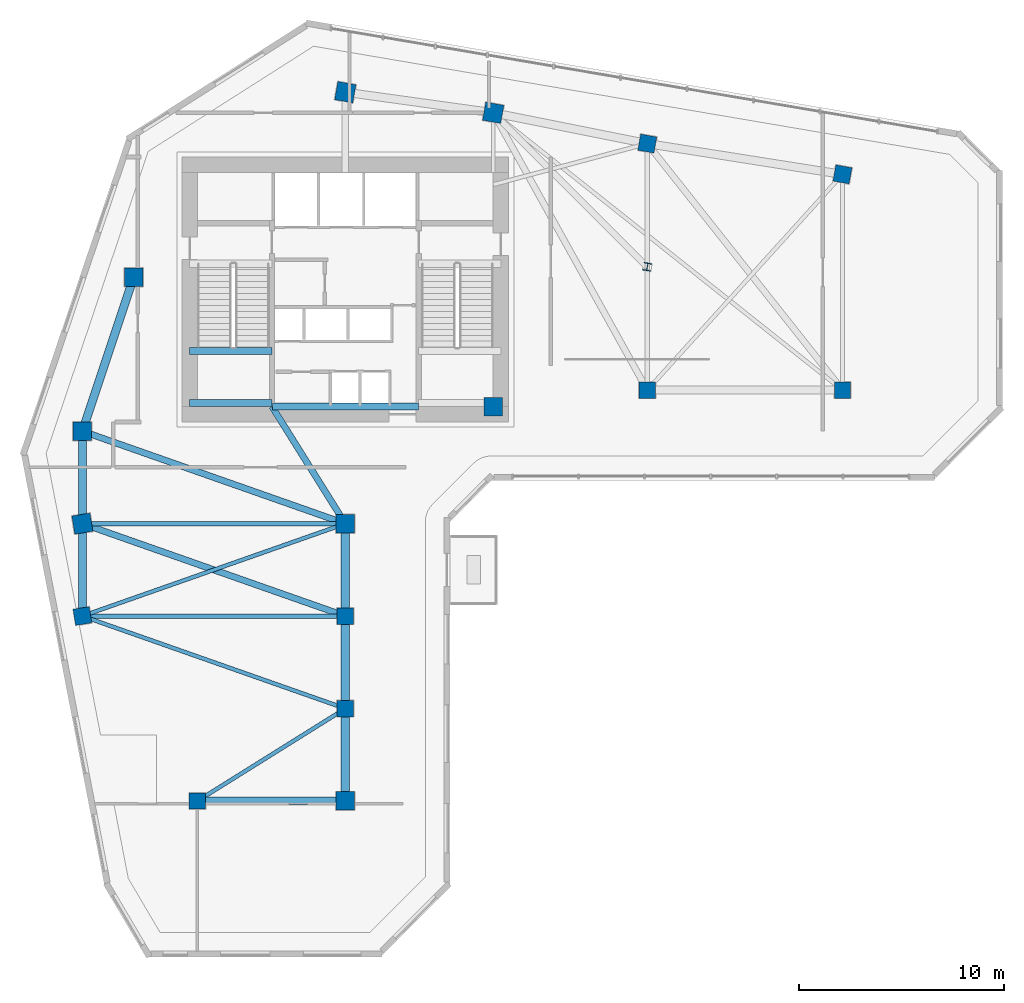
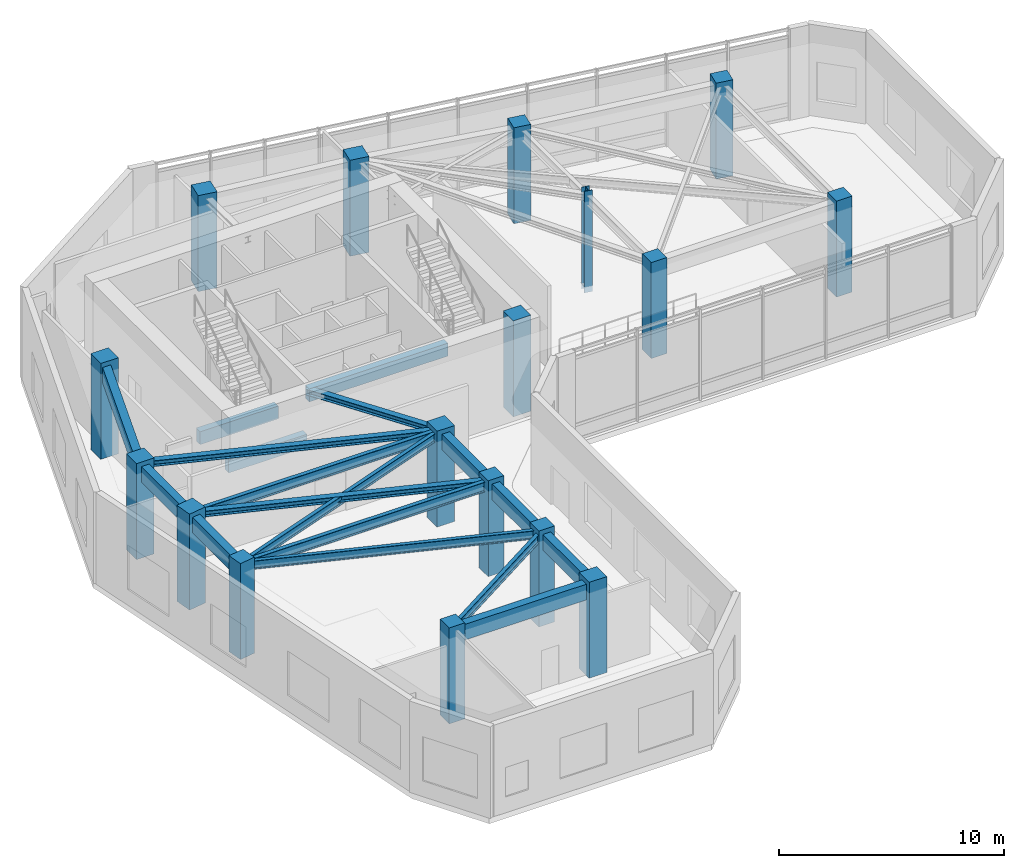
# One storey, part 1 of 9: 18 beams, 17 columns.
"""IFC4 building model written with IfcOpenShell, lengths in metres."""

from ifc_helpers import new_model, si_unit, direction, frame, origin, origin_2d, place, context, subcontext, project, spatial, rectangle, i_section, extrude, source, transform, mapped, material, material_profile, profile_set, type_object, element, save


model = new_model("IFC4")

# Units and contexts
model_context = context("Model", 3, precision=1e-05, world=origin(), true_north=direction((0.0, 1.0)))
body_context = subcontext(model_context, "Body", "Model", "MODEL_VIEW")
ifc_project = project(units=[si_unit("LENGTHUNIT", "METRE"), si_unit("AREAUNIT", "SQUARE_METRE"), si_unit("VOLUMEUNIT", "CUBIC_METRE"), si_unit("PLANEANGLEUNIT", "RADIAN"), si_unit("MASSUNIT", "GRAM", prefix="KILO")], contexts=[model_context])

# Site, building, storey
site_placement = place(None, origin())
site = spatial("IfcSite", under=ifc_project, at=site_placement, CompositionType="ELEMENT")
building_placement = place(site_placement, origin())
building = spatial("IfcBuilding", under=site, at=building_placement, Name="Calvemar Wedge Station Tower", CompositionType="ELEMENT")
storey_placement = place(building_placement, frame((0.0, 0.0, 105.39990234375)))
storey = spatial("IfcBuildingStorey", under=building, at=storey_placement, Name="L25", CompositionType="ELEMENT", Elevation=105.39990234375)

# Columns
ifc_material_1 = material(Name="Concrete C60", Category="concrete")
ifc_material_profile_1 = material_profile(ifc_material_1, rectangle(XDim=0.89990234375, YDim=0.89990234375, at=origin_2d()), Name="RC900x900")
ifc_profile_set_1 = profile_set([ifc_material_profile_1], Name="Concrete C60")
column_type_1 = type_object("IfcColumnType", Name="COL-C5-900", PredefinedType="COLUMN", material=ifc_profile_set_1)
shared_shape_1 = source(origin(), body_context, "Body", "SweptSolid", [
    extrude(rectangle(XDim=0.89990234375, YDim=0.89990234375, at=origin_2d()), origin(), (0.0, 0.0, 1.0), 5.2001953125),
])
for number, where, z_axis, x_axis, name in (
    (1, (11.0, 33.0, 0.0), (0.0, 0.0, 1.0), (1.0, 0.0, 0.0), "Storey L25 Column T-NW1"),
    (2, (13.5, 40.5, 0.0), (0.0, 0.0, 1.0), (1.0, 0.0, 0.0), "Storey L25 Column T-NW2"),
    (3, (23.800048828125, 49.5, 0.0), (0.0, 0.0, 1.0), (0.984195607969, -0.17708474032, 0.0), "Storey L25 Column T-N1"),
    (4, (31.0, 48.5, 0.0), (0.0, 0.0, 1.0), (0.984195607969, -0.17708474032, 0.0), "Storey L25 Column T-N2"),
    (5, (31.0, 34.199951171875, 0.0), (0.0, 0.0, 1.0), (1.0, 0.0, 0.0), "Storey L25 Column T-NL1"),
    (6, (11.0, 28.5, 0.0), (0.0, 0.0, 1.0), (0.158158067254, -0.987413806751, 0.0), "Storey L25 Column T-SW1"),
    (7, (23.800048828125, 28.5, 0.0), (0.0, 0.0, 1.0), (1.0, 0.0, 0.0), "Storey L25 Column T-SE1"),
    (8, (23.800048828125, 15.0, 0.0), (0.0, 0.0, 1.0), (1.0, 0.0, 0.0), "Storey L25 Column T-SE4"),
):
    element("IfcColumn", number, at=place(storey_placement, frame(where, z_axis=z_axis, x_axis=x_axis)), inside=storey, type_object=column_type_1, Name=name, PredefinedType="COLUMN", context=body_context, shape_type="MappedRepresentation", body=[
        mapped(shared_shape_1, transform((0.0, 0.0, 0.0), scale=1.0)),
    ])
ifc_material_2 = material(Name="Concrete C50", Category="concrete")
ifc_material_profile_2 = material_profile(ifc_material_2, rectangle(XDim=0.800048828125, YDim=0.800048828125, at=origin_2d()), Name="RC800x800")
ifc_profile_set_2 = profile_set([ifc_material_profile_2], Name="Concrete C50")
column_type_2 = type_object("IfcColumnType", Name="COL-C6-800", PredefinedType="COLUMN", material=ifc_profile_set_2)
shared_shape_2 = source(origin(), body_context, "Body", "SweptSolid", [
    extrude(rectangle(XDim=0.800048828125, YDim=0.800048828125, at=origin_2d()), origin(), (0.0, 0.0, 1.0), 5.2001953125),
])
for number, where, z_axis, x_axis, name in (
    (9, (38.5, 47.0, 0.0), (0.0, 0.0, 1.0), (0.984195607969, -0.17708474032, 0.0), "Storey L25 Column T-NU3"),
    (10, (48.0, 45.5, 0.0), (0.0, 0.0, 1.0), (0.984195607969, -0.17708474032, 0.0), "Storey L25 Column T-NU4"),
    (11, (38.5, 35.0, 0.0), (0.0, 0.0, 1.0), (1.0, 0.0, 0.0), "Storey L25 Column T-NL2"),
    (12, (48.0, 35.0, 0.0), (0.0, 0.0, 1.0), (1.0, 0.0, 0.0), "Storey L25 Column T-NL3"),
    (13, (11.0, 24.0, 0.0), (0.0, 0.0, 1.0), (0.158158067254, -0.987413806751, 0.0), "Storey L25 Column T-SW2"),
    (14, (23.800048828125, 24.0, 0.0), (0.0, 0.0, 1.0), (1.0, 0.0, 0.0), "Storey L25 Column T-SE2"),
    (15, (23.800048828125, 19.5, 0.0), (0.0, 0.0, 1.0), (1.0, 0.0, 0.0), "Storey L25 Column T-SE3"),
    (16, (16.60009765625, 15.0, 0.0), (0.0, 0.0, 1.0), (1.0, 0.0, 0.0), "Storey L25 Column T-SM1"),
):
    element("IfcColumn", number, at=place(storey_placement, frame(where, z_axis=z_axis, x_axis=x_axis)), inside=storey, type_object=column_type_2, Name=name, PredefinedType="COLUMN", context=body_context, shape_type="MappedRepresentation", body=[
        mapped(shared_shape_2, transform((0.0, 0.0, 0.0), scale=1.0)),
    ])
ifc_material_3 = material(Name="Structural steel ASTM A572 Grade 50", Category="steel")
ifc_material_profile_3 = material_profile(ifc_material_3, i_section(OverallWidth=0.3740234375, OverallDepth=0.3720703125, WebThickness=0.016357421875, FlangeThickness=0.026123046875, FilletRadius=0.014892578125, at=origin_2d()), Name="W360x196")
ifc_profile_set_3 = profile_set([ifc_material_profile_3], Name="Structural steel ASTM A572 Grade 50")
column_type_3 = type_object("IfcColumnType", Name="COL-STL-W360", PredefinedType="COLUMN", material=ifc_profile_set_3)
shared_shape_3 = source(origin(), body_context, "Body", "SweptSolid", [
    extrude(i_section(OverallWidth=0.3740234375, OverallDepth=0.3720703125, WebThickness=0.016357421875, FlangeThickness=0.026123046875, FilletRadius=0.014892578125, at=origin_2d()), origin(), (0.0, 0.0, 1.0), 5.5),
])
column_placement = place(storey_placement, frame((38.5, 41.0, -0.2998046875), z_axis=(0.0, 0.0, 1.0), x_axis=(0.984195607969, -0.17708474032, 0.0)))
element("IfcColumn", 17, at=column_placement, inside=storey, type_object=column_type_3, Name="Storey L25 Column T-NTIP-B", PredefinedType="COLUMN", context=body_context, shape_type="MappedRepresentation", body=[
    mapped(shared_shape_3, transform((0.0, 0.0, 0.0), scale=1.0)),
])

# Beams
ifc_material_profile_4 = material_profile(ifc_material_1, rectangle(XDim=0.39990234375, YDim=0.85009765625, at=origin_2d()), Name="RC400x850")
ifc_profile_set_4 = profile_set([ifc_material_profile_4], Name="Concrete C60")
beam_type_1 = type_object("IfcBeamType", Name="BM-SP1-850", PredefinedType="SPANDREL", material=ifc_profile_set_4)
shared_shape_4 = source(origin(), body_context, "Body", "SweptSolid", [
    extrude(rectangle(XDim=0.39990234375, YDim=0.85009765625, at=origin_2d()), origin(), (0.0, 0.0, 1.0), 7.90576171875),
])
beam_1_placement = place(storey_placement, frame((11.0, 33.0, 4.525146484375), z_axis=(0.316227766017, 0.948683298051, 0.0), x_axis=(-0.948683298051, 0.316227766017, 0.0)))
element("IfcBeam", 18, at=beam_1_placement, inside=storey, type_object=beam_type_1, Name="Storey L25 Spandrel T-NW1-T-NW2", PredefinedType="SPANDREL", context=body_context, shape_type="MappedRepresentation", body=[
    mapped(shared_shape_4, transform((0.0, 0.0, 0.0), scale=1.0)),
])
shared_shape_5 = source(origin(), body_context, "Body", "SweptSolid", [
    extrude(rectangle(XDim=0.39990234375, YDim=0.85009765625, at=origin_2d()), origin(), (0.0, 0.0, 1.0), 4.5),
])
for number, where, z_axis, x_axis, name in (
    (19, (11.0, 33.0, 4.525146484375), (0.0, -1.0, 0.0), (1.0, 0.0, 0.0), "Storey L25 Spandrel T-NW1-T-SW1"),
    (20, (11.0, 28.5, 4.525146484375), (0.0, -1.0, 0.0), (1.0, 0.0, 0.0), "Storey L25 Spandrel T-SW1-T-SW2"),
    (21, (23.800048828125, 28.5, 4.525146484375), (0.0, -1.0, 0.0), (1.0, 0.0, 0.0), "Storey L25 Spandrel T-SE1-T-SE2"),
    (22, (23.800048828125, 24.0, 4.525146484375), (0.0, -1.0, 0.0), (1.0, 0.0, 0.0), "Storey L25 Spandrel T-SE2-T-SE3"),
    (23, (23.800048828125, 19.5, 4.525146484375), (0.0, -1.0, 0.0), (1.0, 0.0, 0.0), "Storey L25 Spandrel T-SE3-T-SE4"),
):
    element("IfcBeam", number, at=place(storey_placement, frame(where, z_axis=z_axis, x_axis=x_axis)), inside=storey, type_object=beam_type_1, Name=name, PredefinedType="SPANDREL", context=body_context, shape_type="MappedRepresentation", body=[
        mapped(shared_shape_5, transform((0.0, 0.0, 0.0), scale=1.0)),
    ])
shared_shape_6 = source(origin(), body_context, "Body", "SweptSolid", [
    extrude(rectangle(XDim=0.39990234375, YDim=0.85009765625, at=origin_2d()), origin(), (0.0, 0.0, 1.0), 7.199951171875),
])
beam_2_placement = place(storey_placement, frame((16.60009765625, 15.0, 4.525146484375), z_axis=(1.0, 0.0, 0.0), x_axis=(0.0, 1.0, 0.0)))
element("IfcBeam", 24, at=beam_2_placement, inside=storey, type_object=beam_type_1, Name="Storey L25 Spandrel T-SM1-T-SE4", PredefinedType="SPANDREL", context=body_context, shape_type="MappedRepresentation", body=[
    mapped(shared_shape_6, transform((0.0, 0.0, 0.0), scale=1.0)),
])
ifc_material_4 = material(Name="Concrete C70", Category="concrete")
ifc_material_profile_5 = material_profile(ifc_material_4, rectangle(XDim=0.35009765625, YDim=0.699951171875, at=origin_2d()), Name="RC350x700")
ifc_profile_set_5 = profile_set([ifc_material_profile_5], Name="Concrete C70")
beam_type_2 = type_object("IfcBeamType", Name="BM-LN1-700", PredefinedType="LINTEL", material=ifc_profile_set_5)
shared_shape_7 = source(origin(), body_context, "Body", "SweptSolid", [
    extrude(rectangle(XDim=0.35009765625, YDim=0.699951171875, at=origin_2d()), origin(), (0.0, 0.0, 1.0), 7.10009765625),
])
beam_3_placement = place(storey_placement, frame((20.25, 34.199951171875, 4.60009765625), z_axis=(1.0, 0.0, 0.0), x_axis=(0.0, 1.0, 0.0)))
element("IfcBeam", 25, at=beam_3_placement, inside=storey, type_object=beam_type_2, Name="Storey L25 Core Coupling Lintel South", PredefinedType="LINTEL", context=body_context, shape_type="MappedRepresentation", body=[
    mapped(shared_shape_7, transform((0.0, 0.0, 0.0), scale=1.0)),
])
ifc_material_profile_6 = material_profile(ifc_material_3, i_section(OverallWidth=0.30908203125, OverallDepth=0.322998046875, WebThickness=0.013916015625, FlangeThickness=0.02294921875, FilletRadius=0.014892578125, at=origin_2d()), Name="W310x143")
ifc_profile_set_6 = profile_set([ifc_material_profile_6], Name="Structural steel ASTM A572 Grade 50")
beam_type_3 = type_object("IfcBeamType", Name="BM-J5-W310H", PredefinedType="JOIST", material=ifc_profile_set_6)
shared_shape_8 = source(origin(), body_context, "Body", "SweptSolid", [
    extrude(i_section(OverallWidth=0.30908203125, OverallDepth=0.322998046875, WebThickness=0.013916015625, FlangeThickness=0.02294921875, FilletRadius=0.014892578125, at=origin_2d()), origin(), (0.0, 0.0, 1.0), 13.568115234375),
])
for number, where, z_axis, x_axis, name in (
    (26, (11.0, 33.0, 4.78857421875), (0.943398221169, -0.331662171939, 0.0), (0.331662171939, 0.943398221169, 0.0), "Storey L25 Floor Beam T-NW1-T-SE1"),
    (27, (11.0, 28.5, 4.78857421875), (0.943398221169, -0.331662171939, 0.0), (0.331662171939, 0.943398221169, 0.0), "Storey L25 Floor Beam T-SW1-T-SE2"),
):
    element("IfcBeam", number, at=place(storey_placement, frame(where, z_axis=z_axis, x_axis=x_axis)), inside=storey, type_object=beam_type_3, Name=name, PredefinedType="JOIST", context=body_context, shape_type="MappedRepresentation", body=[
        mapped(shared_shape_8, transform((0.0, 0.0, 0.0), scale=1.0)),
    ])
ifc_material_profile_7 = material_profile(ifc_material_3, i_section(OverallWidth=0.19189453125, OverallDepth=0.462890625, WebThickness=0.010498046875, FlangeThickness=0.017578125, FilletRadius=0.012939453125, at=origin_2d()), Name="W460x89")
ifc_profile_set_7 = profile_set([ifc_material_profile_7], Name="Structural steel ASTM A572 Grade 50")
beam_type_4 = type_object("IfcBeamType", Name="BM-J1-W460", PredefinedType="JOIST", material=ifc_profile_set_7)
shared_shape_9 = source(origin(), body_context, "Body", "SweptSolid", [
    extrude(i_section(OverallWidth=0.19189453125, OverallDepth=0.462890625, WebThickness=0.010498046875, FlangeThickness=0.017578125, FilletRadius=0.012939453125, at=origin_2d()), origin(), (0.0, 0.0, 1.0), 13.568115234375),
])
for number, where, z_axis, x_axis, name in (
    (28, (23.800048828125, 28.5, 4.718505859375), (-0.943398221169, -0.331662171939, 0.0), (0.331662171939, -0.943398221169, 0.0), "Storey L25 Floor Beam T-SE1-T-SW2"),
    (29, (11.0, 24.0, 4.718505859375), (0.943398221169, -0.331662171939, 0.0), (0.331662171939, 0.943398221169, 0.0), "Storey L25 Floor Beam T-SW2-T-SE3"),
):
    element("IfcBeam", number, at=place(storey_placement, frame(where, z_axis=z_axis, x_axis=x_axis)), inside=storey, type_object=beam_type_4, Name=name, PredefinedType="JOIST", context=body_context, shape_type="MappedRepresentation", body=[
        mapped(shared_shape_9, transform((0.0, 0.0, 0.0), scale=1.0)),
    ])
shared_shape_10 = source(origin(), body_context, "Body", "SweptSolid", [
    extrude(i_section(OverallWidth=0.19189453125, OverallDepth=0.462890625, WebThickness=0.010498046875, FlangeThickness=0.017578125, FilletRadius=0.012939453125, at=origin_2d()), origin(), (0.0, 0.0, 1.0), 8.490478515625),
])
beam_4_placement = place(storey_placement, frame((23.800048828125, 19.5, 4.718505859375), z_axis=(-0.847996688584, -0.530001524668, 0.0), x_axis=(0.530001524668, -0.847996688584, 0.0)))
element("IfcBeam", 30, at=beam_4_placement, inside=storey, type_object=beam_type_4, Name="Storey L25 Floor Beam T-SE3-T-SM1", PredefinedType="JOIST", context=body_context, shape_type="MappedRepresentation", body=[
    mapped(shared_shape_10, transform((0.0, 0.0, 0.0), scale=1.0)),
])
shared_shape_11 = source(origin(), body_context, "Body", "SweptSolid", [
    extrude(i_section(OverallWidth=0.30908203125, OverallDepth=0.322998046875, WebThickness=0.013916015625, FlangeThickness=0.02294921875, FilletRadius=0.014892578125, at=origin_2d()), origin(), (0.0, 0.0, 1.0), 6.7255859375),
])
beam_5_placement = place(storey_placement, frame((20.22998046875, 34.199951171875, 4.78857421875), z_axis=(0.530811158438, -0.847490126242, 0.0), x_axis=(0.847490126242, 0.530811158438, 0.0)))
element("IfcBeam", 31, at=beam_5_placement, inside=storey, type_object=beam_type_3, Name="Storey L25 Core-to-Column Joist CJ-S2", PredefinedType="JOIST", context=body_context, shape_type="MappedRepresentation", body=[
    mapped(shared_shape_11, transform((0.0, 0.0, 0.0), scale=1.0)),
])
shared_shape_12 = source(origin(), body_context, "Body", "SweptSolid", [
    extrude(rectangle(XDim=0.35009765625, YDim=0.699951171875, at=origin_2d()), origin(), (0.0, 0.0, 1.0), 4.0048828125),
])
for number, where, z_axis, x_axis, name in (
    (32, (16.22509765625, 34.3798828125, 2.050048828125), (1.0, 0.0, 0.0), (0.0, 1.0, 0.0), "Storey L25 Stair ST-C1 Half-Landing Beam 1A"),
    (33, (16.22509765625, 36.909912109375, 2.050048828125), (1.0, 0.0, 0.0), (0.0, 1.0, 0.0), "Storey L25 Stair ST-C1 Half-Landing Beam 1B"),
):
    element("IfcBeam", number, at=place(storey_placement, frame(where, z_axis=z_axis, x_axis=x_axis)), inside=storey, type_object=beam_type_2, Name=name, PredefinedType="LINTEL", context=body_context, shape_type="MappedRepresentation", body=[
        mapped(shared_shape_12, transform((0.0, 0.0, 0.0), scale=1.0)),
    ])
ifc_material_profile_8 = material_profile(ifc_material_3, i_section(OverallWidth=0.2109375, OverallDepth=0.5390625, WebThickness=0.01171875, FlangeThickness=0.018798828125, FilletRadius=0.012939453125, at=origin_2d()), Name="W530x109")
ifc_profile_set_8 = profile_set([ifc_material_profile_8], Name="Structural steel ASTM A572 Grade 50")
beam_type_5 = type_object("IfcBeamType", Name="BM-SB4-W530", PredefinedType="BEAM", material=ifc_profile_set_8)
shared_shape_13 = source(origin(), body_context, "Body", "SweptSolid", [
    extrude(i_section(OverallWidth=0.2109375, OverallDepth=0.5390625, WebThickness=0.01171875, FlangeThickness=0.018798828125, FilletRadius=0.012939453125, at=origin_2d()), origin(), (0.0, 0.0, 1.0), 12.800048828125),
])
for number, where, z_axis, x_axis, name in (
    (34, (11.0, 28.5, 4.6806640625), (1.0, 0.0, 0.0), (0.0, 1.0, 0.0), "Storey L25 Floor Beam T-SW1-T-SE1"),
    (35, (11.0, 24.0, 4.6806640625), (1.0, 0.0, 0.0), (0.0, 1.0, 0.0), "Storey L25 Floor Beam T-SW2-T-SE2"),
):
    element("IfcBeam", number, at=place(storey_placement, frame(where, z_axis=z_axis, x_axis=x_axis)), inside=storey, type_object=beam_type_5, Name=name, PredefinedType="BEAM", context=body_context, shape_type="MappedRepresentation", body=[
        mapped(shared_shape_13, transform((0.0, 0.0, 0.0), scale=1.0)),
    ])

save(model, "model.ifc")
